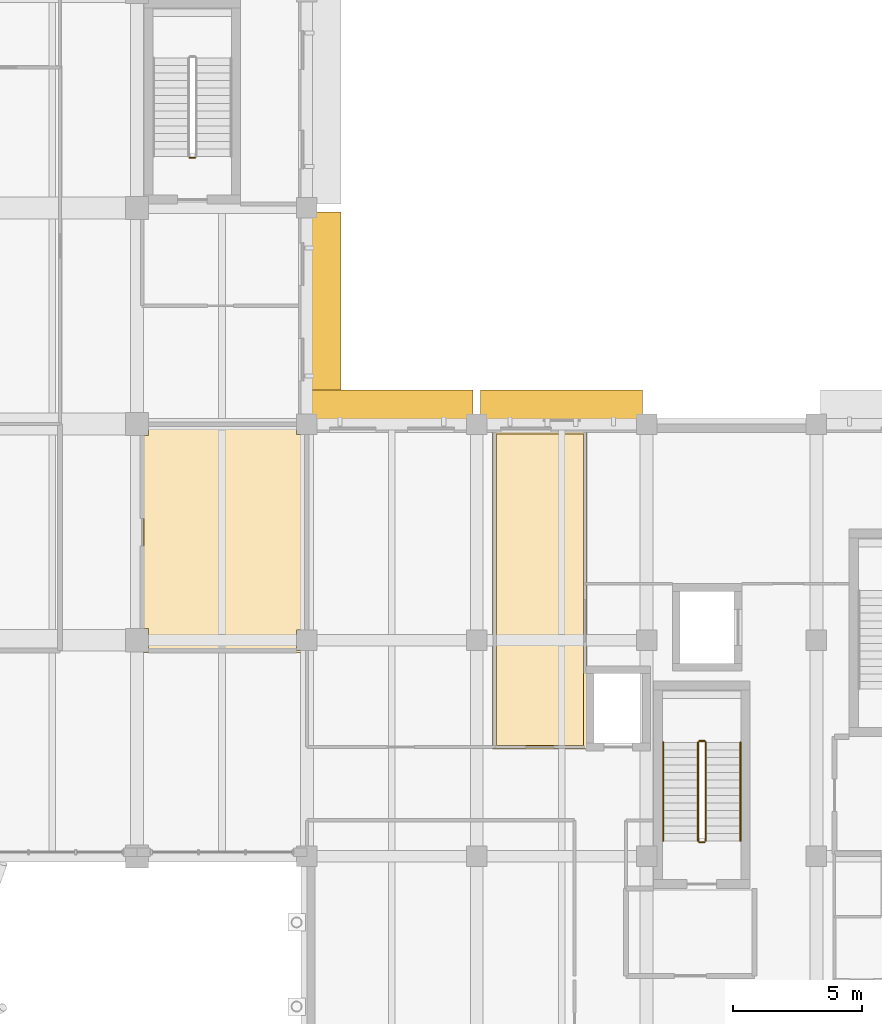
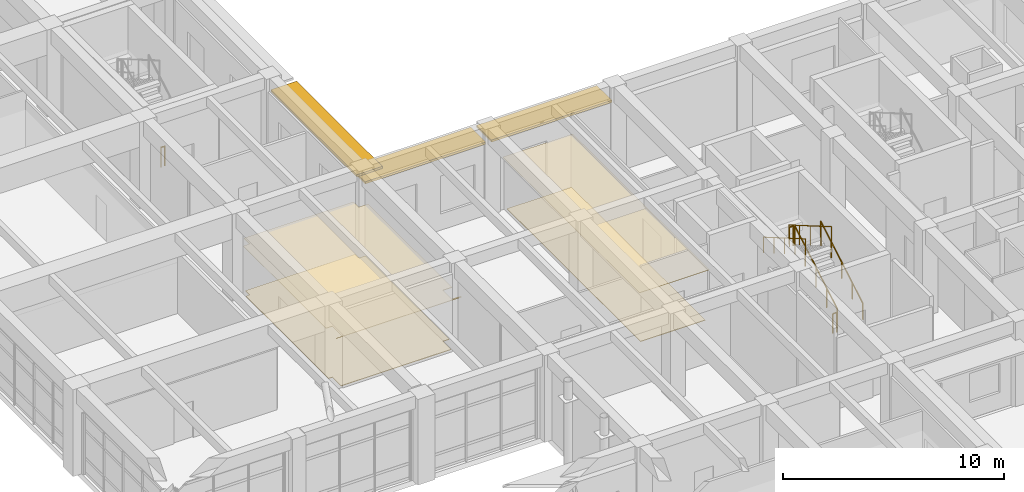
# One storey, part 73 of 75: 7 railings, 4 coverings, 3 shading devices.
"""IFC4 building model written with IfcOpenShell, lengths in metres."""

from ifc_helpers import new_model, si_unit, direction, frame, origin, origin_2d, place, context, subcontext, project, spatial, polyline, rectangle, circle, outline, extrude, material, layer, layer_set, type_object, element, save


model = new_model("IFC4")

# Units and contexts
model_context = context("Model", 3, precision=1e-05, world=origin(), true_north=direction((0.0, 1.0)))
body_context = subcontext(model_context, "Body", "Model", "MODEL_VIEW")
ifc_project = project(units=[si_unit("LENGTHUNIT", "METRE"), si_unit("AREAUNIT", "SQUARE_METRE"), si_unit("VOLUMEUNIT", "CUBIC_METRE"), si_unit("PLANEANGLEUNIT", "RADIAN"), si_unit("MASSUNIT", "GRAM", prefix="KILO")], contexts=[model_context])

# Site, building, storey
site_placement = place(None, origin())
site = spatial("IfcSite", under=ifc_project, at=site_placement, CompositionType="ELEMENT")
building_placement = place(site_placement, origin())
building = spatial("IfcBuilding", under=site, at=building_placement, Name="Kolvaren Faculty of Natural Sciences", CompositionType="ELEMENT")
storey_placement = place(building_placement, frame((0.0, 0.0, 5.39990234375)))
storey = spatial("IfcBuildingStorey", under=building, at=storey_placement, Name="L01", CompositionType="ELEMENT", Elevation=5.39990234375)

# Coverings
ifc_material_1 = material(Name="Perforated mineral-fibre acoustic suspended ceiling tile")
ifc_layer_1 = layer(ifc_material_1, 0.02490234375)
ifc_layer_set_1 = layer_set([ifc_layer_1], Name="Perforated mineral-fibre acoustic suspended ceiling tile")
covering_type_1 = type_object("IfcCoveringType", Name="AcousticSuspendedCeiling_25", PredefinedType="CEILING", material=ifc_layer_set_1)
covering_1_placement = place(storey_placement, frame((0.0, 0.0, 2.8251953125)))
element("IfcCovering", 1, at=covering_1_placement, inside=storey, type_object=covering_type_1, Name="L01 Collaborative Seminar Classroom 1B acoustic ceiling", PredefinedType="CEILING", context=body_context, shape_type="SweptSolid", body=[
    extrude(outline(polyline([(138.39990234375, 84.280029296875), (138.39990234375, 83.800048828125), (138.8798828125, 83.800048828125), (138.8798828125, 76.199951171875), (138.39990234375, 76.199951171875), (138.39990234375, 75.39990234375), (138.8798828125, 75.39990234375), (138.8798828125, 75.320068359375), (132.320068359375, 75.320068359375), (132.320068359375, 75.35009765625), (132.64990234375, 75.35009765625), (132.64990234375, 76.25), (132.320068359375, 76.25), (132.320068359375, 83.75), (132.64990234375, 83.75), (132.64990234375, 84.280029296875), (138.39990234375, 84.280029296875)])), origin(), (0.0, 0.0, 1.0), 0.02490234375),
])
covering_2_placement = place(storey_placement, frame((0.0, 0.0, 2.8251953125)))
element("IfcCovering", 2, at=covering_2_placement, inside=storey, type_object=covering_type_1, Name="L01 L01 Quantitative Modelling Office acoustic ceiling", PredefinedType="CEILING", context=body_context, shape_type="SweptSolid", body=[
    extrude(outline(polyline([(149.679931640625, 83.9599609375), (149.679931640625, 71.570068359375), (146.02001953125, 71.570068359375), (146.02001953125, 83.9599609375), (149.679931640625, 83.9599609375)])), origin(), (0.0, 0.0, 1.0), 0.02490234375),
])

# Shading devices
ifc_material_2 = material(Name="Precast concrete C35/45", Category="concrete")
ifc_layer_2 = layer(ifc_material_2, 0.1201171875)
ifc_layer_set_2 = layer_set([ifc_layer_2], Name="Precast concrete C35/45")
shading_device_type = type_object("IfcShadingDeviceType", Name="ChhajjaSolarHood_1350", PredefinedType="AWNING", material=ifc_layer_set_2)
shading_device_placement = place(storey_placement, frame((139.455078125, 88.56005859375, 3.844970703125), z_axis=(0.0, 0.0, 1.0), x_axis=(0.0, -1.0, 0.0)))
element("IfcShadingDevice", 3, at=shading_device_placement, inside=storey, type_object=shading_device_type, Name="L01 precast sandstone chhajja solar hood 44", PredefinedType="AWNING", context=body_context, shape_type="SweptSolid", body=[
    extrude(rectangle(XDim=7.780029296875, YDim=1.35009765625, at=origin_2d()), origin(), (0.0, 0.0, 1.0), 0.1201171875),
])
for number, where, z_axis, x_axis, name in (
    (4, (142.10009765625, 84.85498046875, 3.695068359375), (0.0, 0.0, 1.0), (1.0, 0.0, 0.0), "L01 precast sandstone chhajja solar hood 45"),
    (5, (148.699951171875, 84.85498046875, 3.695068359375), (0.0, 0.0, 1.0), (1.0, 0.0, 0.0), "L01 precast sandstone chhajja solar hood 46"),
):
    element("IfcShadingDevice", number, at=place(storey_placement, frame(where, z_axis=z_axis, x_axis=x_axis)), inside=storey, type_object=shading_device_type, Name=name, PredefinedType="AWNING", context=body_context, shape_type="SweptSolid", body=[
        extrude(rectangle(XDim=6.300048828125, YDim=1.35009765625, at=origin_2d()), origin(), (0.0, 0.0, 1.0), 0.1201171875),
    ])

# Railings
ifc_material_3 = material(Name="Structural steel EN 10210-1 S355J2H", Category="steel")
ifc_layer_3 = layer(ifc_material_3, 0.048095703125)
ifc_layer_set_3 = layer_set([ifc_layer_3], Name="Structural steel EN 10210-1 S355J2H")
railing_type_1 = type_object("IfcRailingType", Name="StairPitchHandrail_920", PredefinedType="HANDRAIL", material=ifc_layer_set_3)
railing_1_placement = place(storey_placement, frame((155.64990234375, 68.0, 0.171630859375)))
element("IfcRailing", 6, at=railing_1_placement, inside=storey, type_object=railing_type_1, Name="L01 ST-2 stair handrail 1", PredefinedType="HANDRAIL", context=body_context, shape_type="SweptSolid", body=[
    extrude(circle(Radius=0.02392578125, at=origin_2d()), frame((0.0, 0.0, 0.8759765625), z_axis=(0.0, 0.86461618451, 0.502432934314), x_axis=(-1.0, 0.0, 0.0)), (0.0, 0.0, 1.0), 4.435546875),
    extrude(circle(Radius=0.02099609375, at=origin_2d()), origin(), (0.0, 0.0, 1.0), 0.851806640625),
    extrude(circle(Radius=0.02099609375, at=origin_2d()), frame((0.0, 0.958740234375, 0.55712890625)), (0.0, 0.0, 1.0), 0.851806640625),
    extrude(circle(Radius=0.02099609375, at=origin_2d()), frame((0.0, 1.91748046875, 1.1142578125)), (0.0, 0.0, 1.0), 0.851806640625),
    extrude(circle(Radius=0.02099609375, at=origin_2d()), frame((0.0, 2.876220703125, 1.67138671875)), (0.0, 0.0, 1.0), 0.851806640625),
    extrude(circle(Radius=0.02099609375, at=origin_2d()), frame((0.0, 3.8349609375, 2.228515625)), (0.0, 0.0, 1.0), 0.851806640625),
])
railing_2_placement = place(storey_placement, frame((152.64990234375, 71.8349609375, 2.571533203125)))
element("IfcRailing", 7, at=railing_2_placement, inside=storey, type_object=railing_type_1, Name="L01 ST-2 stair handrail 2", PredefinedType="HANDRAIL", context=body_context, shape_type="SweptSolid", body=[
    extrude(circle(Radius=0.02392578125, at=origin_2d()), frame((0.0, 0.0, 0.8759765625), z_axis=(0.0, -0.86461618451, 0.502432934314), x_axis=(1.0, 0.0, 0.0)), (0.0, 0.0, 1.0), 4.435546875),
    extrude(circle(Radius=0.02099609375, at=origin_2d()), origin(), (0.0, 0.0, 1.0), 0.851806640625),
    extrude(circle(Radius=0.02099609375, at=origin_2d()), frame((0.0, -0.958740234375, 0.55712890625)), (0.0, 0.0, 1.0), 0.851806640625),
    extrude(circle(Radius=0.02099609375, at=origin_2d()), frame((0.0, -1.91748046875, 1.1142578125)), (0.0, 0.0, 1.0), 0.851806640625),
    extrude(circle(Radius=0.02099609375, at=origin_2d()), frame((0.0, -2.876220703125, 1.67138671875)), (0.0, 0.0, 1.0), 0.851806640625),
    extrude(circle(Radius=0.02099609375, at=origin_2d()), frame((0.0, -3.8349609375, 2.228515625)), (0.0, 0.0, 1.0), 0.851806640625),
])
ifc_layer_4 = layer(ifc_material_3, 0.048095703125)
ifc_layer_set_4 = layer_set([ifc_layer_4], Name="Structural steel EN 10210-1 S355J2H")
railing_type_2 = type_object("IfcRailingType", Name="StairWellGuard_1100", PredefinedType="BALUSTRADE", material=ifc_layer_set_4)
railing_3_placement = place(storey_placement, frame((154.300048828125, 68.0, 0.171630859375)))
element("IfcRailing", 8, at=railing_3_placement, inside=storey, type_object=railing_type_2, Name="L01 ST-2 stair guard 1", PredefinedType="BALUSTRADE", context=body_context, shape_type="SweptSolid", body=[
    extrude(circle(Radius=0.02392578125, at=origin_2d()), frame((0.0, 0.0, 1.076171875), z_axis=(0.0, 0.86461618451, 0.502432934314), x_axis=(-1.0, 0.0, 0.0)), (0.0, 0.0, 1.0), 4.435546875),
    extrude(circle(Radius=0.02099609375, at=origin_2d()), origin(), (0.0, 0.0, 1.0), 1.052001953125),
    extrude(circle(Radius=0.02099609375, at=origin_2d()), frame((0.0, 0.958740234375, 0.55712890625)), (0.0, 0.0, 1.0), 1.052001953125),
    extrude(circle(Radius=0.02099609375, at=origin_2d()), frame((0.0, 1.91748046875, 1.1142578125)), (0.0, 0.0, 1.0), 1.052001953125),
    extrude(circle(Radius=0.02099609375, at=origin_2d()), frame((0.0, 2.876220703125, 1.67138671875)), (0.0, 0.0, 1.0), 1.052001953125),
    extrude(circle(Radius=0.02099609375, at=origin_2d()), frame((0.0, 3.8349609375, 2.228515625)), (0.0, 0.0, 1.0), 1.052001953125),
])
railing_4_placement = place(storey_placement, frame((154.25, 71.885009765625, 2.400146484375)))
element("IfcRailing", 9, at=railing_4_placement, inside=storey, type_object=railing_type_2, Name="L01 ST-2 stair guard 2", PredefinedType="BALUSTRADE", context=body_context, shape_type="SweptSolid", body=[
    extrude(circle(Radius=0.02392578125, at=origin_2d()), frame((0.0, 0.0, 1.076171875), z_axis=(-1.0, 0.0, 0.0), x_axis=(0.0, -1.0, 0.0)), (0.0, 0.0, 1.0), 0.199951171875),
    extrude(circle(Radius=0.02099609375, at=origin_2d()), origin(), (0.0, 0.0, 1.0), 1.052001953125),
    extrude(circle(Radius=0.02099609375, at=origin_2d()), frame((-0.199951171875, 0.0, 0.0)), (0.0, 0.0, 1.0), 1.052001953125),
])
railing_5_placement = place(storey_placement, frame((154.0, 71.8349609375, 2.571533203125)))
element("IfcRailing", 10, at=railing_5_placement, inside=storey, type_object=railing_type_2, Name="L01 ST-2 stair guard 3", PredefinedType="BALUSTRADE", context=body_context, shape_type="SweptSolid", body=[
    extrude(circle(Radius=0.02392578125, at=origin_2d()), frame((0.0, 0.0, 1.076171875), z_axis=(0.0, -0.86461618451, 0.502432934314), x_axis=(1.0, 0.0, 0.0)), (0.0, 0.0, 1.0), 4.435546875),
    extrude(circle(Radius=0.02099609375, at=origin_2d()), origin(), (0.0, 0.0, 1.0), 1.052001953125),
    extrude(circle(Radius=0.02099609375, at=origin_2d()), frame((0.0, -0.958740234375, 0.55712890625)), (0.0, 0.0, 1.0), 1.052001953125),
    extrude(circle(Radius=0.02099609375, at=origin_2d()), frame((0.0, -1.91748046875, 1.1142578125)), (0.0, 0.0, 1.0), 1.052001953125),
    extrude(circle(Radius=0.02099609375, at=origin_2d()), frame((0.0, -2.876220703125, 1.67138671875)), (0.0, 0.0, 1.0), 1.052001953125),
    extrude(circle(Radius=0.02099609375, at=origin_2d()), frame((0.0, -3.8349609375, 2.228515625)), (0.0, 0.0, 1.0), 1.052001953125),
])
for number, where, name in (
    (11, (154.25, 67.949951171875, 0.0), "L01 ST-2 stair guard 4"),
    (12, (134.449951171875, 94.550048828125, 0.0), "L01 ST-7 stair guard 4"),
):
    element("IfcRailing", number, at=place(storey_placement, frame(where)), inside=storey, type_object=railing_type_2, Name=name, PredefinedType="BALUSTRADE", context=body_context, shape_type="SweptSolid", body=[
        extrude(circle(Radius=0.02392578125, at=origin_2d()), frame((0.0, 0.0, 1.076171875), z_axis=(-1.0, 0.0, 0.0), x_axis=(0.0, -1.0, 0.0)), (0.0, 0.0, 1.0), 0.199951171875),
        extrude(circle(Radius=0.02099609375, at=origin_2d()), origin(), (0.0, 0.0, 1.0), 1.052001953125),
        extrude(circle(Radius=0.02099609375, at=origin_2d()), frame((-0.199951171875, 0.0, 0.0)), (0.0, 0.0, 1.0), 1.052001953125),
    ])

# Coverings
ifc_material_4 = material(Name="Polished Uruguayan grey granite terrazzo flooring", Category="masonry")
ifc_layer_5 = layer(ifc_material_4, 0.030029296875)
ifc_layer_set_5 = layer_set([ifc_layer_5], Name="Polished Uruguayan grey granite terrazzo flooring")
covering_type_2 = type_object("IfcCoveringType", Name="TerrazzoFloorFinish_30", PredefinedType="FLOORING", material=ifc_layer_set_5)
covering_3_placement = place(storey_placement, origin())
element("IfcCovering", 13, at=covering_3_placement, inside=storey, type_object=covering_type_2, Name="L01 Collaborative Seminar Classroom 1B floor finish", PredefinedType="FLOORING", context=body_context, shape_type="SweptSolid", body=[
    extrude(outline(polyline([(132.4599609375, 83.75), (132.64990234375, 83.75), (132.64990234375, 84.139892578125), (138.39990234375, 84.139892578125), (138.39990234375, 83.800048828125), (138.739990234375, 83.800048828125), (138.739990234375, 76.199951171875), (138.39990234375, 76.199951171875), (138.39990234375, 75.4599609375), (132.64990234375, 75.4599609375), (132.64990234375, 76.25), (132.4599609375, 76.25), (132.4599609375, 83.75)])), origin(), (0.0, 0.0, 1.0), 0.030029296875),
])
covering_4_placement = place(storey_placement, origin())
element("IfcCovering", 14, at=covering_4_placement, inside=storey, type_object=covering_type_2, Name="L01 L01 Quantitative Modelling Office floor finish", PredefinedType="FLOORING", context=body_context, shape_type="SweptSolid", body=[
    extrude(outline(polyline([(146.159912109375, 83.820068359375), (149.5400390625, 83.820068359375), (149.5400390625, 71.7099609375), (146.159912109375, 71.7099609375), (146.159912109375, 83.820068359375)])), origin(), (0.0, 0.0, 1.0), 0.030029296875),
])

save(model, "model.ifc")
